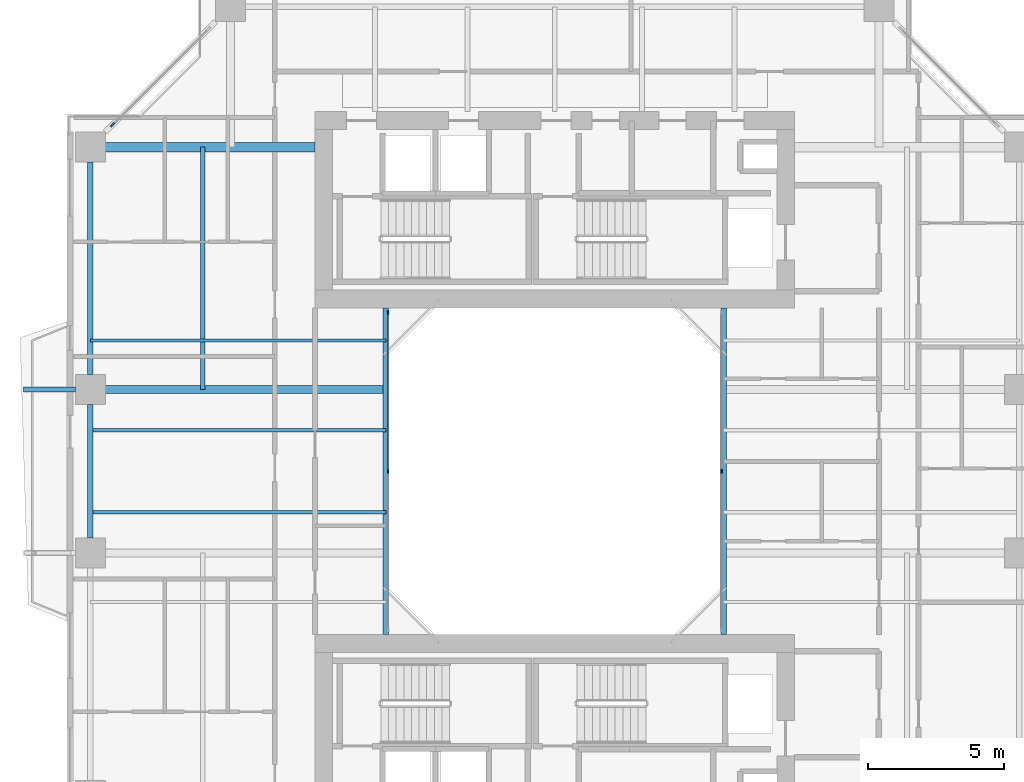
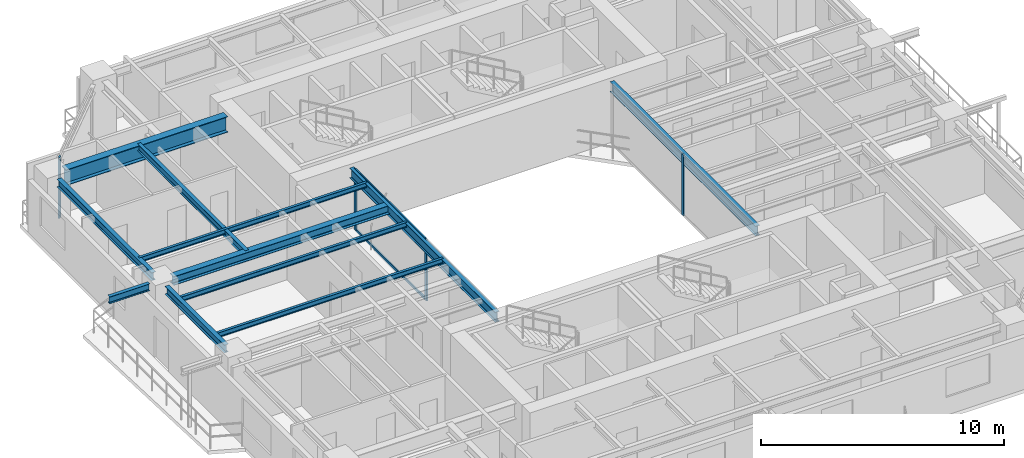
# One storey, part 5 of 17: 11 beams, 6 members, 3 elements without a shape of their own.
"""IFC4 building model written with IfcOpenShell, lengths in metres."""

from ifc_helpers import new_model, si_unit, direction, frame, origin, origin_2d, place, context, subcontext, project, spatial, rectangle, i_section, extrude, source, transform, mapped, material, layer, layer_set, material_profile, profile_set, type_object, element, aggregate, save


model = new_model("IFC4")

# Units and contexts
model_context = context("Model", 3, precision=1e-05, world=origin(), true_north=direction((0.0, 1.0)))
body_context = subcontext(model_context, "Body", "Model", "MODEL_VIEW")
ifc_project = project(units=[si_unit("LENGTHUNIT", "METRE"), si_unit("AREAUNIT", "SQUARE_METRE"), si_unit("VOLUMEUNIT", "CUBIC_METRE"), si_unit("PLANEANGLEUNIT", "RADIAN"), si_unit("MASSUNIT", "GRAM", prefix="KILO"), si_unit("THERMODYNAMICTEMPERATUREUNIT", "KELVIN"), si_unit("POWERUNIT", "WATT")], contexts=[model_context])

# Site, building, storey
site_placement = place(None, origin())
site = spatial("IfcSite", under=ifc_project, at=site_placement, CompositionType="ELEMENT")
building_placement = place(site_placement, origin())
building = spatial("IfcBuilding", under=site, at=building_placement, Name="Qiaomeng Ring Towers", CompositionType="ELEMENT")
storey_placement = place(building_placement, frame((0.0, 0.0, 126.25)))
storey = spatial("IfcBuildingStorey", under=building, at=storey_placement, Name="L36", CompositionType="ELEMENT", Elevation=126.25)

# Beams
ifc_material_1 = material(Name="Steel Q355B", Category="steel")
ifc_material_profile_1 = material_profile(ifc_material_1, i_section(OverallWidth=0.199951171875, OverallDepth=0.5, WebThickness=0.010009765625, FlangeThickness=0.01611328125, FilletRadius=0.02001953125, at=origin_2d()), Name="HN 500x200x10x16")
ifc_profile_set_1 = profile_set([ifc_material_profile_1], Name="Steel Q355B")
beam_type_1 = type_object("IfcBeamType", Name="STR-BM-HN500", PredefinedType="BEAM", material=ifc_profile_set_1)
shared_shape_1 = source(origin(), body_context, "Body", "SweptSolid", [
    extrude(i_section(OverallWidth=0.199951171875, OverallDepth=0.5, WebThickness=0.010009765625, FlangeThickness=0.01611328125, FilletRadius=0.02001953125, at=origin_2d()), origin(), (0.0, 0.0, 1.0), 12.0),
])
for number, where, z_axis, x_axis, name in (
    (1, (12.800048828125, 17.0, 2.820068359375), (0.0, 1.0, 0.0), (-1.0, 0.0, 0.0), "L36 beam STR-BM-L36-WELL-W"),
    (2, (25.199951171875, 17.0, 2.820068359375), (0.0, 1.0, 0.0), (-1.0, 0.0, 0.0), "L36 beam STR-BM-L36-WELL-E"),
):
    element("IfcBeam", number, at=place(storey_placement, frame(where, z_axis=z_axis, x_axis=x_axis)), inside=storey, type_object=beam_type_1, Name=name, PredefinedType="BEAM", context=body_context, shape_type="MappedRepresentation", body=[
        mapped(shared_shape_1, transform((0.0, 0.0, 0.0), x_axis=(1.0, 0.0, 0.0), y_axis=(0.0, 1.0, 0.0), z_axis=(0.0, 0.0, 1.0), scale=1.0)),
    ])
ifc_material_profile_2 = material_profile(ifc_material_1, i_section(OverallWidth=0.199951171875, OverallDepth=0.39990234375, WebThickness=0.008056640625, FlangeThickness=0.012939453125, FilletRadius=0.01611328125, at=origin_2d()), Name="HN 400x200x8x13")
ifc_profile_set_2 = profile_set([ifc_material_profile_2], Name="Steel Q355B")
beam_type_2 = type_object("IfcBeamType", Name="STR-BM-HN400", PredefinedType="SPANDREL", material=ifc_profile_set_2)
shared_shape_2 = source(origin(), body_context, "Body", "SweptSolid", [
    extrude(i_section(OverallWidth=0.199951171875, OverallDepth=0.39990234375, WebThickness=0.008056640625, FlangeThickness=0.012939453125, FilletRadius=0.01611328125, at=origin_2d()), origin(), (0.0, 0.0, 1.0), 7.802001953125),
])
beam_1_placement = place(storey_placement, frame((1.949951171875, 34.35107421875, 2.8701171875), z_axis=(0.0, -1.0, 0.0), x_axis=(1.0, 0.0, 0.0)))
element("IfcBeam", 3, at=beam_1_placement, inside=storey, type_object=beam_type_2, Name="L36 beam STR-SP-L36-T1-W4-W3", PredefinedType="SPANDREL", context=body_context, shape_type="MappedRepresentation", body=[
    mapped(shared_shape_2, transform((0.0, 0.0, 0.0), x_axis=(1.0, 0.0, 0.0), y_axis=(0.0, 1.0, 0.0), z_axis=(0.0, 0.0, 1.0), scale=1.0)),
])
shared_shape_3 = source(origin(), body_context, "Body", "SweptSolid", [
    extrude(i_section(OverallWidth=0.199951171875, OverallDepth=0.39990234375, WebThickness=0.008056640625, FlangeThickness=0.012939453125, FilletRadius=0.01611328125, at=origin_2d()), origin(), (0.0, 0.0, 1.0), 4.90185546875),
])
beam_2_placement = place(storey_placement, frame((1.949951171875, 25.450927734375, 2.8701171875), z_axis=(0.0, -1.0, 0.0), x_axis=(1.0, 0.0, 0.0)))
element("IfcBeam", 4, at=beam_2_placement, inside=storey, type_object=beam_type_2, Name="L36 beam STR-SP-L36-T1-W3-W2", PredefinedType="SPANDREL", context=body_context, shape_type="MappedRepresentation", body=[
    mapped(shared_shape_3, transform((0.0, 0.0, 0.0), x_axis=(1.0, 0.0, 0.0), y_axis=(0.0, 1.0, 0.0), z_axis=(0.0, 0.0, 1.0), scale=1.0)),
])
ifc_material_2 = material(Name="Steel Q390GJC", Category="steel")
ifc_material_profile_3 = material_profile(ifc_material_2, i_section(OverallWidth=0.35009765625, OverallDepth=0.800048828125, WebThickness=0.01611328125, FlangeThickness=0.028076171875, at=origin_2d()), Name="WH 800x350x16x28")
ifc_profile_set_3 = profile_set([ifc_material_profile_3], Name="Steel Q390GJC")
beam_type_3 = type_object("IfcBeamType", Name="STR-BM-WH800", PredefinedType="BEAM", material=ifc_profile_set_3)
shared_shape_4 = source(origin(), body_context, "Body", "SweptSolid", [
    extrude(i_section(OverallWidth=0.35009765625, OverallDepth=0.800048828125, WebThickness=0.01611328125, FlangeThickness=0.028076171875, at=origin_2d()), origin(), (0.0, 0.0, 1.0), 7.700927734375),
])
beam_3_placement = place(storey_placement, frame((2.4990234375, 34.89990234375, 2.669921875), z_axis=(1.0, 0.0, 0.0), x_axis=(0.0, 1.0, 0.0)))
element("IfcBeam", 5, at=beam_3_placement, inside=storey, type_object=beam_type_3, Name="L36 beam STR-BM-L36-T1-RAD-W4", PredefinedType="BEAM", context=body_context, shape_type="MappedRepresentation", body=[
    mapped(shared_shape_4, transform((0.0, 0.0, 0.0), x_axis=(1.0, 0.0, 0.0), y_axis=(0.0, 1.0, 0.0), z_axis=(0.0, 0.0, 1.0), scale=1.0)),
])
ifc_material_profile_4 = material_profile(ifc_material_1, i_section(OverallWidth=0.300048828125, OverallDepth=0.43994140625, WebThickness=0.010986328125, FlangeThickness=0.01806640625, FilletRadius=0.02392578125, at=origin_2d()), Name="HM 440x300x11x18")
ifc_profile_set_4 = profile_set([ifc_material_profile_4], Name="Steel Q355B")
beam_type_4 = type_object("IfcBeamType", Name="STR-BM-HM440", PredefinedType="BEAM", material=ifc_profile_set_4)
shared_shape_5 = source(origin(), body_context, "Body", "SweptSolid", [
    extrude(i_section(OverallWidth=0.300048828125, OverallDepth=0.43994140625, WebThickness=0.010986328125, FlangeThickness=0.01806640625, FilletRadius=0.02392578125, at=origin_2d()), origin(), (0.0, 0.0, 1.0), 10.301025390625),
])
beam_4_placement = place(storey_placement, frame((2.4990234375, 26.0, 2.85009765625), z_axis=(1.0, 0.0, 0.0), x_axis=(0.0, 1.0, 0.0)))
element("IfcBeam", 6, at=beam_4_placement, inside=storey, type_object=beam_type_4, Name="L36 beam STR-BM-L36-T1-RAD-W3", PredefinedType="BEAM", context=body_context, shape_type="MappedRepresentation", body=[
    mapped(shared_shape_5, transform((0.0, 0.0, 0.0), x_axis=(1.0, 0.0, 0.0), y_axis=(0.0, 1.0, 0.0), z_axis=(0.0, 0.0, 1.0), scale=1.0)),
])
ifc_material_profile_5 = material_profile(ifc_material_1, i_section(OverallWidth=0.125, OverallDepth=0.25, WebThickness=0.006103515625, FlangeThickness=0.009033203125, FilletRadius=0.011962890625, at=origin_2d()), Name="HN 250x125x6x9")
ifc_profile_set_5 = profile_set([ifc_material_profile_5], Name="Steel Q355B")
beam_type_5 = type_object("IfcBeamType", Name="STR-BM-HN250", PredefinedType="JOIST", material=ifc_profile_set_5)
shared_shape_6 = source(origin(), body_context, "Body", "SweptSolid", [
    extrude(i_section(OverallWidth=0.125, OverallDepth=0.25, WebThickness=0.006103515625, FlangeThickness=0.009033203125, FilletRadius=0.011962890625, at=origin_2d()), origin(), (0.0, 0.0, 1.0), 10.85009765625),
])
for number, where, z_axis, x_axis, name in (
    (7, (1.949951171875, 21.5, 2.945068359375), (1.0, 0.0, 0.0), (0.0, 1.0, 0.0), "L36 beam STR-JST-L36-T1W-2"),
    (8, (1.949951171875, 24.5, 2.945068359375), (1.0, 0.0, 0.0), (0.0, 1.0, 0.0), "L36 beam STR-JST-L36-T1W-3"),
    (9, (1.949951171875, 27.800048828125, 2.945068359375), (1.0, 0.0, 0.0), (0.0, 1.0, 0.0), "L36 beam STR-JST-L36-T1W-4"),
):
    element("IfcBeam", number, at=place(storey_placement, frame(where, z_axis=z_axis, x_axis=x_axis)), inside=storey, type_object=beam_type_5, Name=name, PredefinedType="JOIST", context=body_context, shape_type="MappedRepresentation", body=[
        mapped(shared_shape_6, transform((0.0, 0.0, 0.0), x_axis=(1.0, 0.0, 0.0), y_axis=(0.0, 1.0, 0.0), z_axis=(0.0, 0.0, 1.0), scale=1.0)),
    ])
ifc_material_profile_6 = material_profile(ifc_material_1, i_section(OverallWidth=0.175048828125, OverallDepth=0.35009765625, WebThickness=0.007080078125, FlangeThickness=0.010986328125, FilletRadius=0.013916015625, at=origin_2d()), Name="HN 350x175x7x11")
ifc_profile_set_6 = profile_set([ifc_material_profile_6], Name="Steel Q355B")
beam_type_6 = type_object("IfcBeamType", Name="STR-BM-HN350", PredefinedType="JOIST", material=ifc_profile_set_6)
shared_shape_7 = source(origin(), body_context, "Body", "SweptSolid", [
    extrude(i_section(OverallWidth=0.175048828125, OverallDepth=0.35009765625, WebThickness=0.007080078125, FlangeThickness=0.010986328125, FilletRadius=0.013916015625, at=origin_2d()), origin(), (0.0, 0.0, 1.0), 8.89990234375),
])
beam_5_placement = place(storey_placement, frame((6.074951171875, 26.0, 2.89501953125), z_axis=(0.0, 1.0, 0.0), x_axis=(-1.0, 0.0, 0.0)))
element("IfcBeam", 10, at=beam_5_placement, inside=storey, type_object=beam_type_6, Name="L36 beam STR-JST-L36-T1C-WN", PredefinedType="JOIST", context=body_context, shape_type="MappedRepresentation", body=[
    mapped(shared_shape_7, transform((0.0, 0.0, 0.0), x_axis=(1.0, 0.0, 0.0), y_axis=(0.0, 1.0, 0.0), z_axis=(0.0, 0.0, 1.0), scale=1.0)),
])
shared_shape_8 = source(origin(), body_context, "Body", "SweptSolid", [
    extrude(i_section(OverallWidth=0.175048828125, OverallDepth=0.35009765625, WebThickness=0.007080078125, FlangeThickness=0.010986328125, FilletRadius=0.013916015625, at=origin_2d()), origin(), (0.0, 0.0, 1.0), 1.90087890625),
])
beam_6_placement = place(storey_placement, frame((-0.5, 26.0, 2.89501953125), z_axis=(1.0, 0.0, 0.0), x_axis=(0.0, 1.0, 0.0)))
element("IfcBeam", 11, at=beam_6_placement, inside=storey, type_object=beam_type_6, Name="L36 beam STR-BALBM-L36-W3", PredefinedType="JOIST", context=body_context, shape_type="MappedRepresentation", body=[
    mapped(shared_shape_8, transform((0.0, 0.0, 0.0), x_axis=(1.0, 0.0, 0.0), y_axis=(0.0, 1.0, 0.0), z_axis=(0.0, 0.0, 1.0), scale=1.0)),
])

# Curtain wall, members
ifc_material_3 = material(Name="Fluorocarbon dark-grey aluminium", Category="aluminium")
ifc_layer_1 = layer(ifc_material_3, 0.139892578125, Name="Fluorocarbon dark-grey aluminium")
ifc_layer_set_1 = layer_set([ifc_layer_1], Name="Fluorocarbon dark-grey aluminium")
curtain_wall_type_1 = type_object("IfcCurtainWallType", Name="ARC-CW-4", PredefinedType="NOTDEFINED", material=ifc_layer_set_1)
curtain_wall_1_placement = place(storey_placement, origin())
curtain_wall_1 = element("IfcCurtainWall", 12, at=curtain_wall_1_placement, inside=storey, type_object=curtain_wall_type_1, Name="L36 Curtain Wall CW4", PredefinedType="NOTDEFINED")
ifc_material_profile_7 = material_profile(ifc_material_3, rectangle(XDim=0.06494140625, YDim=0.159912109375, at=origin_2d()), Name="ALU MULL 65x160")
ifc_profile_set_7 = profile_set([ifc_material_profile_7], Name="Fluorocarbon dark-grey aluminium")
member_type_1 = type_object("IfcMemberType", Name="ARC-CWM-140", PredefinedType="MULLION", material=ifc_profile_set_7)
shared_shape_9 = source(origin(), body_context, "Body", "SweptSolid", [
    extrude(rectangle(XDim=0.06494140625, YDim=0.159912109375, at=origin_2d()), origin(), (0.0, 0.0, 1.0), 3.070068359375),
])
member_1_placement = place(storey_placement, frame((12.8798828125, 23.0, 0.0), z_axis=(0.0, 0.0, 1.0), x_axis=(-1.0, 0.0, 0.0)))
member_1 = element("IfcMember", 13, at=member_1_placement, type_object=member_type_1, Name="CW4 mullion 2", PredefinedType="MULLION", context=body_context, shape_type="MappedRepresentation", body=[
    mapped(shared_shape_9, transform((0.0, 0.0, 0.0), x_axis=(1.0, 0.0, 0.0), y_axis=(0.0, 1.0, 0.0), z_axis=(0.0, 0.0, 1.0), scale=1.0)),
])
member_2_placement = place(storey_placement, frame((12.8798828125, 28.8173828125, 0.0), z_axis=(0.0, 0.0, 1.0), x_axis=(-1.0, 0.0, 0.0)))
member_2 = element("IfcMember", 14, at=member_2_placement, type_object=member_type_1, Name="CW4 mullion 3", PredefinedType="MULLION", context=body_context, shape_type="MappedRepresentation", body=[
    mapped(shared_shape_9, transform((0.0, 0.0, 0.0), x_axis=(1.0, 0.0, 0.0), y_axis=(0.0, 1.0, 0.0), z_axis=(0.0, 0.0, 1.0), scale=1.0)),
])

# Curtain wall, member
curtain_wall_2_placement = place(storey_placement, origin())
curtain_wall_2 = element("IfcCurtainWall", 15, at=curtain_wall_2_placement, inside=storey, type_object=curtain_wall_type_1, Name="L36 Curtain Wall CW4", PredefinedType="NOTDEFINED")
member_3_placement = place(storey_placement, frame((25.1201171875, 23.0, 0.0), z_axis=(0.0, 0.0, 1.0), x_axis=(-1.0, 0.0, 0.0)))
member_3 = element("IfcMember", 16, at=member_3_placement, type_object=member_type_1, Name="CW4 mullion 2", PredefinedType="MULLION", context=body_context, shape_type="MappedRepresentation", body=[
    mapped(shared_shape_9, transform((0.0, 0.0, 0.0), x_axis=(1.0, 0.0, 0.0), y_axis=(0.0, 1.0, 0.0), z_axis=(0.0, 0.0, 1.0), scale=1.0)),
])
aggregate(curtain_wall_2, [member_3])

# Member
ifc_material_profile_8 = material_profile(ifc_material_3, rectangle(XDim=0.06494140625, YDim=0.1298828125, at=origin_2d()), Name="ALU TRAN 65x130")
ifc_profile_set_8 = profile_set([ifc_material_profile_8], Name="Fluorocarbon dark-grey aluminium")
member_type_2 = type_object("IfcMemberType", Name="ARC-CWT-120", PredefinedType="USERDEFINED", material=ifc_profile_set_8)
shared_shape_10 = source(origin(), body_context, "Body", "SweptSolid", [
    extrude(rectangle(XDim=0.06494140625, YDim=0.1298828125, at=origin_2d()), origin(), (0.0, 0.0, 1.0), 5.75244140625),
])
member_4_placement = place(storey_placement, frame((12.8798828125, 23.032470703125, 0.032470703125), z_axis=(0.0, 1.0, 0.0), x_axis=(-1.0, 0.0, 0.0)))
member_4 = element("IfcMember", 17, at=member_4_placement, type_object=member_type_2, Name="CW4 transom 2.1", ObjectType="TRANSOM", PredefinedType="USERDEFINED", context=body_context, shape_type="MappedRepresentation", body=[
    mapped(shared_shape_10, transform((0.0, 0.0, 0.0), x_axis=(1.0, 0.0, 0.0), y_axis=(0.0, 1.0, 0.0), z_axis=(0.0, 0.0, 1.0), scale=1.0)),
])

member_5_placement = place(storey_placement, frame((12.8798828125, 23.032470703125, 3.03759765625), z_axis=(0.0, 1.0, 0.0), x_axis=(-1.0, 0.0, 0.0)))
member_5 = element("IfcMember", 18, at=member_5_placement, type_object=member_type_2, Name="CW4 transom 2.2", ObjectType="TRANSOM", PredefinedType="USERDEFINED", context=body_context, shape_type="MappedRepresentation", body=[
    mapped(shared_shape_10, transform((0.0, 0.0, 0.0), x_axis=(1.0, 0.0, 0.0), y_axis=(0.0, 1.0, 0.0), z_axis=(0.0, 0.0, 1.0), scale=1.0)),
])

aggregate(curtain_wall_1, [member_1, member_2, member_4, member_5])

# Curtain wall, member
ifc_layer_2 = layer(ifc_material_3, 0.14990234375, Name="Fluorocarbon dark-grey aluminium")
ifc_layer_set_2 = layer_set([ifc_layer_2], Name="Fluorocarbon dark-grey aluminium")
curtain_wall_type_2 = type_object("IfcCurtainWallType", Name="ARC-CW-3", PredefinedType="NOTDEFINED", material=ifc_layer_set_2)
curtain_wall_3_placement = place(storey_placement, origin())
curtain_wall_3 = element("IfcCurtainWall", 19, at=curtain_wall_3_placement, inside=storey, type_object=curtain_wall_type_2, Name="L36 Curtain Wall CW3", PredefinedType="NOTDEFINED")
ifc_material_profile_9 = material_profile(ifc_material_3, rectangle(XDim=0.070068359375, YDim=0.179931640625, at=origin_2d()), Name="ALU MULL 70x180")
ifc_profile_set_9 = profile_set([ifc_material_profile_9], Name="Fluorocarbon dark-grey aluminium")
member_type_3 = type_object("IfcMemberType", Name="ARC-CWM-160", PredefinedType="MULLION", material=ifc_profile_set_9)
shared_shape_11 = source(origin(), body_context, "Body", "SweptSolid", [
    extrude(rectangle(XDim=0.070068359375, YDim=0.179931640625, at=origin_2d()), origin(), (0.0, 0.0, 1.0), 3.070068359375),
])
member_6_placement = place(storey_placement, frame((2.7646484375, 35.71484375, 0.0), z_axis=(0.0, 0.0, 1.0), x_axis=(0.707106781187, -0.707106781187, 0.0)))
member_6 = element("IfcMember", 20, at=member_6_placement, type_object=member_type_3, Name="CW3 mullion 2", PredefinedType="MULLION", context=body_context, shape_type="MappedRepresentation", body=[
    mapped(shared_shape_11, transform((0.0, 0.0, 0.0), x_axis=(1.0, 0.0, 0.0), y_axis=(0.0, 1.0, 0.0), z_axis=(0.0, 0.0, 1.0), scale=1.0)),
])
aggregate(curtain_wall_3, [member_6])

save(model, "model.ifc")
